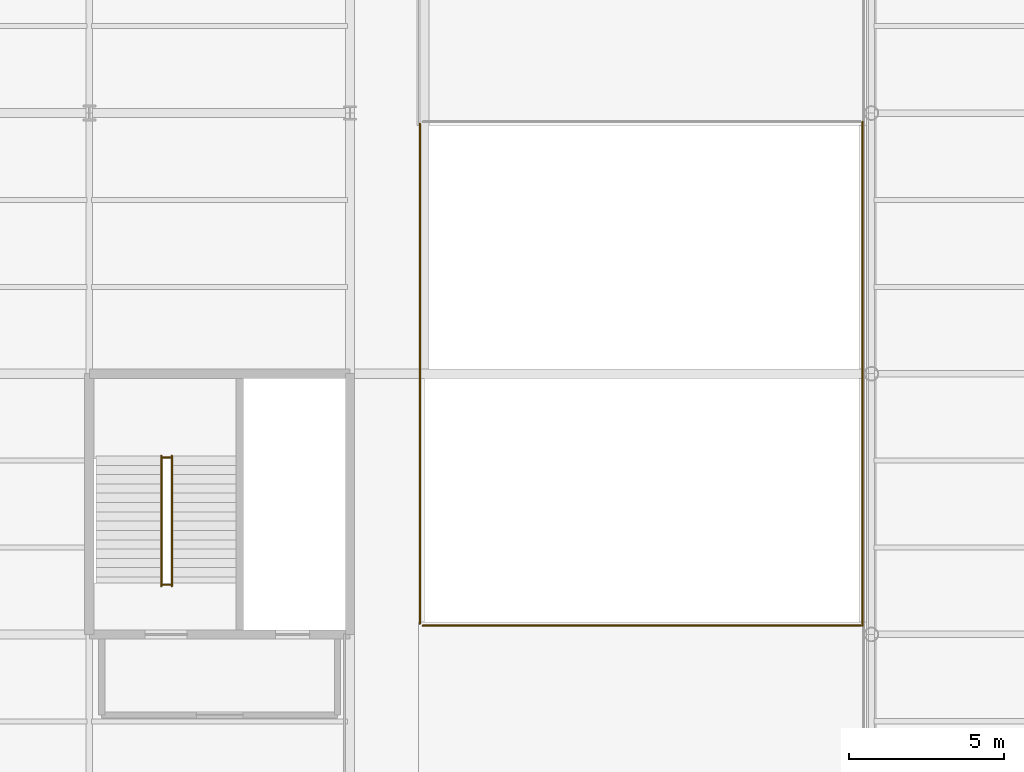
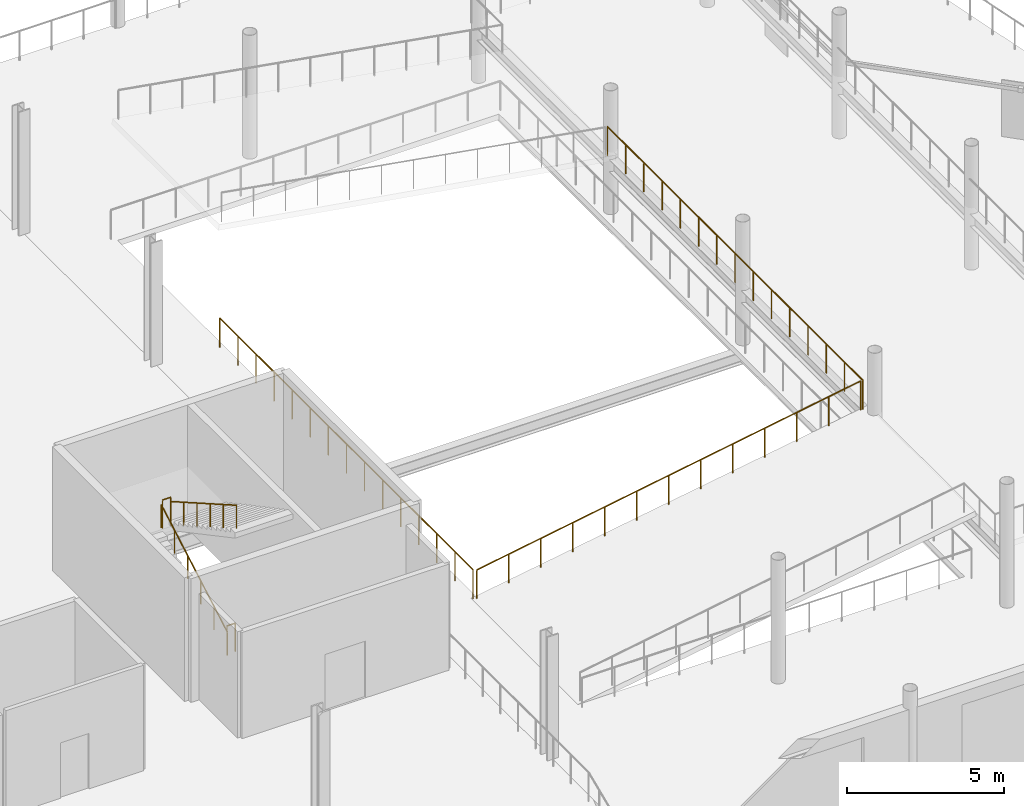
# One storey, part 144 of 145: 7 railings.
"""IFC4 building model written with IfcOpenShell, lengths in metres."""

import ifcopenshell
import ifcopenshell.guid

model = None  # the IFC model being written
_history = None  # IfcOwnerHistory: only IFC2X3 demands one
_inside = {}  # id of a spatial element -> (the spatial element, [elements in it])
_under = {}  # id of a project, library or spatial element -> (it, [spatial elements below it])
_declared = {}  # id of a project -> (the project, [libraries it declares])
_typed = {}  # id of a type object -> (the type object, [elements of that type])
_made_of = {}  # id of a material, layer set ... -> (it, [elements and type objects made of it])


def new_model(schema):
    """Start an empty IFC model of exactly this schema.

    Asked for "IFC4X3", IfcOpenShell would pick the latest addendum, in which some entities
    have other attributes; the version numbers below select the first issue.
    IFC2X3 requires an IfcOwnerHistory on every rooted entity: one is made here for all.
    """
    global model, _history
    if schema == "IFC4X3":
        model = ifcopenshell.file(schema_version=(4, 3, 0, 0))
    else:
        model = ifcopenshell.file(schema=schema)
    _inside.clear()
    _under.clear()
    _declared.clear()
    _typed.clear()
    _made_of.clear()
    _history = None
    if model.schema == "IFC2X3":
        org = make("IfcOrganization", Name="unknown")
        user = make(
            "IfcPersonAndOrganization",
            ThePerson=make("IfcPerson", FamilyName="unknown"),
            TheOrganization=org,
        )
        app = make(
            "IfcApplication",
            ApplicationDeveloper=org,
            Version="unknown",
            ApplicationFullName="unknown",
            ApplicationIdentifier="unknown",
        )
        _history = make(
            "IfcOwnerHistory",
            OwningUser=user,
            OwningApplication=app,
            ChangeAction="ADDED",
            CreationDate=0,
        )
    return model


def make(cls, **values):
    """One entity of the class cls with the attributes given. An attribute that is None is left unset."""
    return model.create_entity(
        cls, **{name: value for name, value in values.items() if value is not None}
    )


def rooted(cls, **values):
    """An entity with a GlobalId (a new one), such as an element, a storey or a relation."""
    return make(cls, GlobalId=ifcopenshell.guid.new(), OwnerHistory=_history, **values)


def si_unit(unit_type, name, prefix=None):
    """IfcSIUnit, for example si_unit("LENGTHUNIT", "METRE", prefix="MILLI")."""
    return make("IfcSIUnit", UnitType=unit_type, Prefix=prefix, Name=name)


def assignment(units):
    """IfcUnitAssignment: the units of a project."""
    return None if units is None else make("IfcUnitAssignment", Units=units)


def point(xyz):
    """IfcCartesianPoint."""
    return None if xyz is None else make("IfcCartesianPoint", Coordinates=xyz)


def direction(xyz):
    """IfcDirection."""
    return None if xyz is None else make("IfcDirection", DirectionRatios=xyz)


def frame(location, z_axis=None, x_axis=None):
    """IfcAxis2Placement3D, a coordinate frame: its origin and axes. An axis left out is left unset."""
    return make(
        "IfcAxis2Placement3D",
        Location=point(location),
        Axis=direction(z_axis),
        RefDirection=direction(x_axis),
    )


def frame_2d(location, x_axis=None):
    """IfcAxis2Placement2D, a coordinate frame in the plane: its origin and x axis."""
    return make(
        "IfcAxis2Placement2D", Location=point(location), RefDirection=direction(x_axis)
    )


def origin():
    """The frame at (0, 0, 0) with its axes left unset."""
    return frame((0.0, 0.0, 0.0))


def origin_2d():
    """The frame at (0, 0) in the plane with its x axis left unset."""
    return frame_2d((0.0, 0.0))


def place(relative_to, where):
    """IfcLocalPlacement: puts the frame where relative to a parent placement (None: the world)."""
    return make(
        "IfcLocalPlacement", PlacementRelTo=relative_to, RelativePlacement=where
    )


def context(
    kind, dimensions, precision=None, world=None, true_north=None, identifier=None
):
    """IfcGeometricRepresentationContext, for example the 3D "Model" context."""
    return make(
        "IfcGeometricRepresentationContext",
        ContextIdentifier=identifier,
        ContextType=kind,
        CoordinateSpaceDimension=dimensions,
        Precision=precision,
        WorldCoordinateSystem=world,
        TrueNorth=true_north,
    )


def subcontext(parent, identifier, kind, view, scale=None):
    """IfcGeometricRepresentationSubContext, for example "Body" below "Model"."""
    return make(
        "IfcGeometricRepresentationSubContext",
        ContextIdentifier=identifier,
        ContextType=kind,
        ParentContext=parent,
        TargetScale=scale,
        TargetView=view,
    )


def project(units=None, contexts=None):
    """IfcProject with its units and contexts."""
    return rooted(
        "IfcProject",
        Name="project",
        RepresentationContexts=contexts,
        UnitsInContext=assignment(units),
    )


def spatial(cls, under=None, at=None, **own):
    """A site, building, storey or space (cls), placed at a placement, below another one or the project."""
    s = rooted(cls, ObjectPlacement=at, **own)
    if under is not None:
        _under.setdefault(under.id(), (under, []))[1].append(s)
    return s


def profile(cls, at=None, kind="AREA", **sizes):
    """A parametric profile (cls). Its sizes go by their IFC names, for example OverallWidth=200.0."""
    return make(cls, ProfileType=kind, Position=at, **sizes)


def circle(**sizes):
    """IfcCircleProfileDef."""
    return profile("IfcCircleProfileDef", **sizes)


def extrude(swept, where, along, depth):
    """IfcExtrudedAreaSolid: the profile swept, set in the frame where, extruded along a direction by depth."""
    return make(
        "IfcExtrudedAreaSolid",
        SweptArea=swept,
        Position=where,
        ExtrudedDirection=direction(along),
        Depth=depth,
    )


def shape(context_of_items, identifier, shape_type, items):
    """IfcShapeRepresentation: the items that make up one representation, for example the "Body"."""
    return make(
        "IfcShapeRepresentation",
        ContextOfItems=context_of_items,
        RepresentationIdentifier=identifier,
        RepresentationType=shape_type,
        Items=items,
    )


def material(Name=None, Category=None):
    """IfcMaterial."""
    return make("IfcMaterial", Name=Name, Category=Category)


def made_of(thing, what):
    """Note that an element or type object is made of a material, layer set ...; save() writes the relation."""
    if what is not None:
        _made_of.setdefault(what.id(), (what, []))[1].append(thing)
    return thing


def type_object(cls, material=None, **own):
    """A type object (cls), such as IfcWallType, which elements share."""
    return made_of(rooted(cls, **own), material)


def element(
    cls,
    number,
    at=None,
    inside=None,
    cuts=None,
    type_object=None,
    material=None,
    context=None,
    identifier="Body",
    shape_type=None,
    held_by="IfcProductDefinitionShape",
    body=None,
    shapes=None,
    **own,
):
    """One element of the class cls, such as IfcWall. Its Tag is "e" and its number.

    at: its placement. inside: the storey or other place that contains it. cuts: it is an
    opening in that element (IfcRelVoidsElement). A single representation is given by context,
    identifier, shape_type and body (its items); several are given by shapes. held_by: the class
    of the entity that holds the representations. save() writes the other relations.
    """
    e = rooted(cls, Tag="e%d" % number, ObjectPlacement=at, **own)
    if body is not None:
        shapes = [shape(context, identifier, shape_type, body)]
    if shapes is not None:
        e.Representation = make(held_by, Representations=shapes)
    if inside is not None:
        _inside.setdefault(inside.id(), (inside, []))[1].append(e)
    if cuts is not None:
        rooted(
            "IfcRelVoidsElement", RelatingBuildingElement=cuts, RelatedOpeningElement=e
        )
    if type_object is not None:
        _typed.setdefault(type_object.id(), (type_object, []))[1].append(e)
    return made_of(e, material)


def aggregate(whole, parts):
    """IfcRelAggregates: a whole, such as a stair, and the parts it consists of."""
    return rooted("IfcRelAggregates", RelatingObject=whole, RelatedObjects=parts)


def save(model, path):
    """Write the relations noted so far, then the file.

    IfcRelAggregates (storeys below a building ...), IfcRelContainedInSpatialStructure (elements
    in a storey), IfcRelDefinesByType, IfcRelAssociatesMaterial and IfcRelDeclares: one each for
    every whole, place, type object, material and project.
    """
    for whole, parts in _under.values():
        aggregate(whole, parts)
    for where, things in _inside.values():
        rooted(
            "IfcRelContainedInSpatialStructure",
            RelatedElements=things,
            RelatingStructure=where,
        )
    for kind, things in _typed.values():
        rooted("IfcRelDefinesByType", RelatedObjects=things, RelatingType=kind)
    for what, things in _made_of.values():
        rooted("IfcRelAssociatesMaterial", RelatedObjects=things, RelatingMaterial=what)
    for by, libraries in _declared.values():
        rooted("IfcRelDeclares", RelatingContext=by, RelatedDefinitions=libraries)
    model.write(path)


model = new_model("IFC4")

# Units and contexts
model_context = context("Model", 3, precision=1e-05, world=origin(), true_north=direction((0.0, 1.0)))
body_context = subcontext(model_context, "Body", "Model", "MODEL_VIEW")
ifc_project = project(units=[si_unit("LENGTHUNIT", "METRE"), si_unit("AREAUNIT", "SQUARE_METRE"), si_unit("VOLUMEUNIT", "CUBIC_METRE"), si_unit("PLANEANGLEUNIT", "RADIAN"), si_unit("MASSUNIT", "GRAM", prefix="KILO")], contexts=[model_context])

# Site, building, storey
site_placement = place(None, origin())
site = spatial("IfcSite", under=ifc_project, at=site_placement, CompositionType="ELEMENT")
building_placement = place(site_placement, origin())
building = spatial("IfcBuilding", under=site, at=building_placement, Name="Qalvenar Corner Mobility Hub", CompositionType="ELEMENT")
storey_placement = place(building_placement, origin())
storey = spatial("IfcBuildingStorey", under=building, at=storey_placement, Name="L00", CompositionType="ELEMENT", Elevation=0.0)

# Railings
ifc_material_1 = material(Name="Art Nouveau Bronze-Finished Steel Balustrade", Category="steel")
railing_type_1 = type_object("IfcRailingType", Name="RL-GUARD-110", PredefinedType="GUARDRAIL", material=ifc_material_1)
for number, where, name in (
    (1, (136.739990234375, 85.60009765625, 0.0), "Stair Arrival Slot Guard C4-L00"),
    (2, (136.739990234375, 89.699951171875, 2.39990234375), "Stair Half-Landing Well Guard ST4-L00"),
):
    element("IfcRailing", number, at=place(storey_placement, frame(where)), inside=storey, type_object=railing_type_1, Name=name, PredefinedType="GUARDRAIL", context=body_context, shape_type="SweptSolid", body=[
        extrude(circle(Radius=0.02392578125, at=origin_2d()), frame((0.0, 0.0, 1.09619140625), z_axis=(1.0, 0.0, 0.0), x_axis=(0.0, 1.0, 0.0)), (0.0, 0.0, 1.0), 0.300048828125),
        extrude(circle(Radius=0.02099609375, at=origin_2d()), origin(), (0.0, 0.0, 1.0), 1.072021484375),
        extrude(circle(Radius=0.02099609375, at=origin_2d()), frame((0.300048828125, 0.0, 0.0)), (0.0, 0.0, 1.0), 1.072021484375),
    ])
ifc_material_2 = material(Name="Galvanised Steel Deck Edge Barrier", Category="steel")
railing_type_2 = type_object("IfcRailingType", Name="RL-GUARD-115", PredefinedType="GUARDRAIL", material=ifc_material_2)
railing_1_placement = place(storey_placement, frame((145.14990234375, 84.280029296875, 0.0)))
element("IfcRailing", 3, at=railing_1_placement, inside=storey, type_object=railing_type_2, Name="Ramp Guardrail L00-L01-GR1", PredefinedType="GUARDRAIL", context=body_context, shape_type="SweptSolid", body=[
    extrude(circle(Radius=0.02392578125, at=origin_2d()), frame((0.0, 0.0, 1.1259765625), z_axis=(0.985822491444, 0.0, 0.167791583109), x_axis=(0.0, 1.0, 0.0)), (0.0, 0.0, 1.0), 14.302978515625),
    extrude(circle(Radius=0.02099609375, at=origin_2d()), origin(), (0.0, 0.0, 1.0), 1.101806640625),
    extrude(circle(Radius=0.02099609375, at=origin_2d()), frame((1.175048828125, 0.0, 0.199951171875)), (0.0, 0.0, 1.0), 1.101806640625),
    extrude(circle(Radius=0.02099609375, at=origin_2d()), frame((2.35009765625, 0.0, 0.39990234375)), (0.0, 0.0, 1.0), 1.101806640625),
    extrude(circle(Radius=0.02099609375, at=origin_2d()), frame((3.52490234375, 0.0, 0.60009765625)), (0.0, 0.0, 1.0), 1.101806640625),
    extrude(circle(Radius=0.02099609375, at=origin_2d()), frame((4.699951171875, 0.0, 0.800048828125)), (0.0, 0.0, 1.0), 1.101806640625),
    extrude(circle(Radius=0.02099609375, at=origin_2d()), frame((5.875, 0.0, 1.0)), (0.0, 0.0, 1.0), 1.101806640625),
    extrude(circle(Radius=0.02099609375, at=origin_2d()), frame((7.050048828125, 0.0, 1.199951171875)), (0.0, 0.0, 1.0), 1.101806640625),
    extrude(circle(Radius=0.02099609375, at=origin_2d()), frame((8.22509765625, 0.0, 1.39990234375)), (0.0, 0.0, 1.0), 1.101806640625),
    extrude(circle(Radius=0.02099609375, at=origin_2d()), frame((9.400146484375, 0.0, 1.599853515625)), (0.0, 0.0, 1.0), 1.101806640625),
    extrude(circle(Radius=0.02099609375, at=origin_2d()), frame((10.5751953125, 0.0, 1.7998046875)), (0.0, 0.0, 1.0), 1.101806640625),
    extrude(circle(Radius=0.02099609375, at=origin_2d()), frame((11.75, 0.0, 2.0)), (0.0, 0.0, 1.0), 1.101806640625),
    extrude(circle(Radius=0.02099609375, at=origin_2d()), frame((12.925048828125, 0.0, 2.199951171875)), (0.0, 0.0, 1.0), 1.101806640625),
    extrude(circle(Radius=0.02099609375, at=origin_2d()), frame((14.10009765625, 0.0, 2.39990234375)), (0.0, 0.0, 1.0), 1.101806640625),
])
railing_2_placement = place(storey_placement, frame((159.320068359375, 84.280029296875, 2.39990234375)))
element("IfcRailing", 4, at=railing_2_placement, inside=storey, type_object=railing_type_2, Name="Ramp Guardrail L00-L01-GRL-IN", PredefinedType="GUARDRAIL", context=body_context, shape_type="SweptSolid", body=[
    extrude(circle(Radius=0.02392578125, at=origin_2d()), frame((0.0, 0.0, 1.1259765625), z_axis=(0.0, 1.0, 0.0), x_axis=(-1.0, 0.0, 0.0)), (0.0, 0.0, 1.0), 16.239990234375),
    extrude(circle(Radius=0.02099609375, at=origin_2d()), origin(), (0.0, 0.0, 1.0), 1.101806640625),
    extrude(circle(Radius=0.02099609375, at=origin_2d()), frame((0.0, 1.159912109375, 0.0)), (0.0, 0.0, 1.0), 1.101806640625),
    extrude(circle(Radius=0.02099609375, at=origin_2d()), frame((0.0, 2.320068359375, 0.0)), (0.0, 0.0, 1.0), 1.101806640625),
    extrude(circle(Radius=0.02099609375, at=origin_2d()), frame((0.0, 3.47998046875, 0.0)), (0.0, 0.0, 1.0), 1.101806640625),
    extrude(circle(Radius=0.02099609375, at=origin_2d()), frame((0.0, 4.639892578125, 0.0)), (0.0, 0.0, 1.0), 1.101806640625),
    extrude(circle(Radius=0.02099609375, at=origin_2d()), frame((0.0, 5.800048828125, 0.0)), (0.0, 0.0, 1.0), 1.101806640625),
    extrude(circle(Radius=0.02099609375, at=origin_2d()), frame((0.0, 6.9599609375, 0.0)), (0.0, 0.0, 1.0), 1.101806640625),
    extrude(circle(Radius=0.02099609375, at=origin_2d()), frame((0.0, 8.1201171875, 0.0)), (0.0, 0.0, 1.0), 1.101806640625),
    extrude(circle(Radius=0.02099609375, at=origin_2d()), frame((0.0, 9.280029296875, 0.0)), (0.0, 0.0, 1.0), 1.101806640625),
    extrude(circle(Radius=0.02099609375, at=origin_2d()), frame((0.0, 10.43994140625, 0.0)), (0.0, 0.0, 1.0), 1.101806640625),
    extrude(circle(Radius=0.02099609375, at=origin_2d()), frame((0.0, 11.60009765625, 0.0)), (0.0, 0.0, 1.0), 1.101806640625),
    extrude(circle(Radius=0.02099609375, at=origin_2d()), frame((0.0, 12.760009765625, 0.0)), (0.0, 0.0, 1.0), 1.101806640625),
    extrude(circle(Radius=0.02099609375, at=origin_2d()), frame((0.0, 13.919921875, 0.0)), (0.0, 0.0, 1.0), 1.101806640625),
    extrude(circle(Radius=0.02099609375, at=origin_2d()), frame((0.0, 15.080078125, 0.0)), (0.0, 0.0, 1.0), 1.101806640625),
    extrude(circle(Radius=0.02099609375, at=origin_2d()), frame((0.0, 16.239990234375, 0.0)), (0.0, 0.0, 1.0), 1.101806640625),
])
railing_3_placement = place(storey_placement, frame((145.050048828125, 84.35009765625, 0.0)))
element("IfcRailing", 5, at=railing_3_placement, inside=storey, type_object=railing_type_2, Name="Ramp Well Guardrail West Pier L00", PredefinedType="GUARDRAIL", context=body_context, shape_type="SweptSolid", body=[
    extrude(circle(Radius=0.02392578125, at=origin_2d()), frame((0.0, 0.0, 1.1259765625), z_axis=(0.0, 1.0, 0.0), x_axis=(-1.0, 0.0, 0.0)), (0.0, 0.0, 1.0), 16.099853515625),
    extrude(circle(Radius=0.02099609375, at=origin_2d()), origin(), (0.0, 0.0, 1.0), 1.101806640625),
    extrude(circle(Radius=0.02099609375, at=origin_2d()), frame((0.0, 1.14990234375, 0.0)), (0.0, 0.0, 1.0), 1.101806640625),
    extrude(circle(Radius=0.02099609375, at=origin_2d()), frame((0.0, 2.300048828125, 0.0)), (0.0, 0.0, 1.0), 1.101806640625),
    extrude(circle(Radius=0.02099609375, at=origin_2d()), frame((0.0, 3.449951171875, 0.0)), (0.0, 0.0, 1.0), 1.101806640625),
    extrude(circle(Radius=0.02099609375, at=origin_2d()), frame((0.0, 4.599853515625, 0.0)), (0.0, 0.0, 1.0), 1.101806640625),
    extrude(circle(Radius=0.02099609375, at=origin_2d()), frame((0.0, 5.75, 0.0)), (0.0, 0.0, 1.0), 1.101806640625),
    extrude(circle(Radius=0.02099609375, at=origin_2d()), frame((0.0, 6.89990234375, 0.0)), (0.0, 0.0, 1.0), 1.101806640625),
    extrude(circle(Radius=0.02099609375, at=origin_2d()), frame((0.0, 8.0498046875, 0.0)), (0.0, 0.0, 1.0), 1.101806640625),
    extrude(circle(Radius=0.02099609375, at=origin_2d()), frame((0.0, 9.199951171875, 0.0)), (0.0, 0.0, 1.0), 1.101806640625),
    extrude(circle(Radius=0.02099609375, at=origin_2d()), frame((0.0, 10.349853515625, 0.0)), (0.0, 0.0, 1.0), 1.101806640625),
    extrude(circle(Radius=0.02099609375, at=origin_2d()), frame((0.0, 11.5, 0.0)), (0.0, 0.0, 1.0), 1.101806640625),
    extrude(circle(Radius=0.02099609375, at=origin_2d()), frame((0.0, 12.64990234375, 0.0)), (0.0, 0.0, 1.0), 1.101806640625),
    extrude(circle(Radius=0.02099609375, at=origin_2d()), frame((0.0, 13.7998046875, 0.0)), (0.0, 0.0, 1.0), 1.101806640625),
    extrude(circle(Radius=0.02099609375, at=origin_2d()), frame((0.0, 14.949951171875, 0.0)), (0.0, 0.0, 1.0), 1.101806640625),
    extrude(circle(Radius=0.02099609375, at=origin_2d()), frame((0.0, 16.099853515625, 0.0)), (0.0, 0.0, 1.0), 1.101806640625),
])
ifc_material_3 = material(Name="Brushed Stainless Steel Handrail", Category="steel")
railing_type_3 = type_object("IfcRailingType", Name="RL-HAND-092", PredefinedType="HANDRAIL", material=ifc_material_3)
railing_4_placement = place(storey_placement, frame((136.719970703125, 85.550048828125, 0.0)))
element("IfcRailing", 6, at=railing_4_placement, inside=storey, type_object=railing_type_3, Name="Stair Handrail ST4-L00-1", PredefinedType="HANDRAIL", context=body_context, shape_type="SweptSolid", body=[
    extrude(circle(Radius=0.02392578125, at=origin_2d()), frame((0.0, 0.0, 0.89599609375), z_axis=(0.0, 0.868249353848, 0.496128067682), x_axis=(-1.0, 0.0, 0.0)), (0.0, 0.0, 1.0), 4.837158203125),
    extrude(circle(Radius=0.02099609375, at=origin_2d()), origin(), (0.0, 0.0, 1.0), 0.871826171875),
    extrude(circle(Radius=0.02099609375, at=origin_2d()), frame((0.0, 0.840087890625, 0.47998046875)), (0.0, 0.0, 1.0), 0.871826171875),
    extrude(circle(Radius=0.02099609375, at=origin_2d()), frame((0.0, 1.679931640625, 0.9599609375)), (0.0, 0.0, 1.0), 0.871826171875),
    extrude(circle(Radius=0.02099609375, at=origin_2d()), frame((0.0, 2.52001953125, 1.43994140625)), (0.0, 0.0, 1.0), 0.871826171875),
    extrude(circle(Radius=0.02099609375, at=origin_2d()), frame((0.0, 3.35986328125, 1.919921875)), (0.0, 0.0, 1.0), 0.871826171875),
    extrude(circle(Radius=0.02099609375, at=origin_2d()), frame((0.0, 4.199951171875, 2.39990234375)), (0.0, 0.0, 1.0), 0.871826171875),
])
railing_5_placement = place(storey_placement, frame((137.06005859375, 89.75, 2.39990234375)))
element("IfcRailing", 7, at=railing_5_placement, inside=storey, type_object=railing_type_3, Name="Stair Handrail ST4-L00-2", PredefinedType="HANDRAIL", context=body_context, shape_type="SweptSolid", body=[
    extrude(circle(Radius=0.02392578125, at=origin_2d()), frame((0.0, 0.0, 0.89599609375), z_axis=(0.0, -0.868227612608, 0.496166114024), x_axis=(1.0, 0.0, 0.0)), (0.0, 0.0, 1.0), 4.83740234375),
    extrude(circle(Radius=0.02099609375, at=origin_2d()), origin(), (0.0, 0.0, 1.0), 0.871826171875),
    extrude(circle(Radius=0.02099609375, at=origin_2d()), frame((0.0, -0.840087890625, 0.47998046875)), (0.0, 0.0, 1.0), 0.871826171875),
    extrude(circle(Radius=0.02099609375, at=origin_2d()), frame((0.0, -1.679931640625, 0.9599609375)), (0.0, 0.0, 1.0), 0.871826171875),
    extrude(circle(Radius=0.02099609375, at=origin_2d()), frame((0.0, -2.52001953125, 1.440185546875)), (0.0, 0.0, 1.0), 0.871826171875),
    extrude(circle(Radius=0.02099609375, at=origin_2d()), frame((0.0, -3.35986328125, 1.920166015625)), (0.0, 0.0, 1.0), 0.871826171875),
    extrude(circle(Radius=0.02099609375, at=origin_2d()), frame((0.0, -4.199951171875, 2.400146484375)), (0.0, 0.0, 1.0), 0.871826171875),
])

save(model, "model.ifc")
